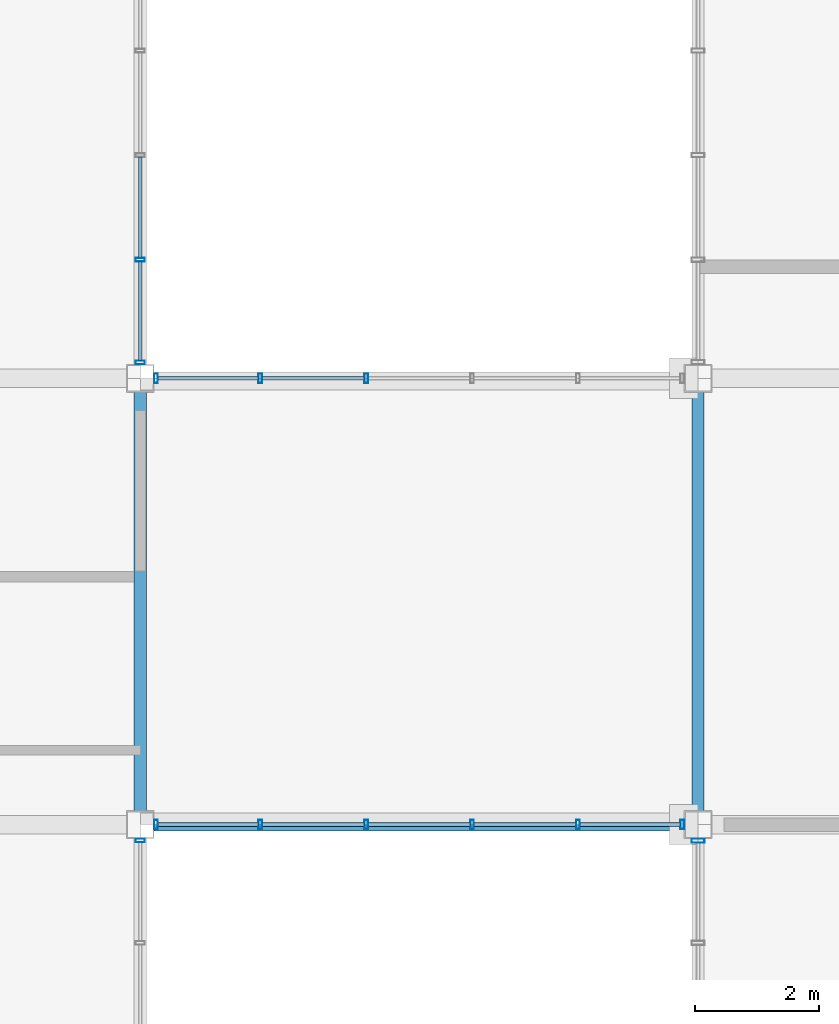
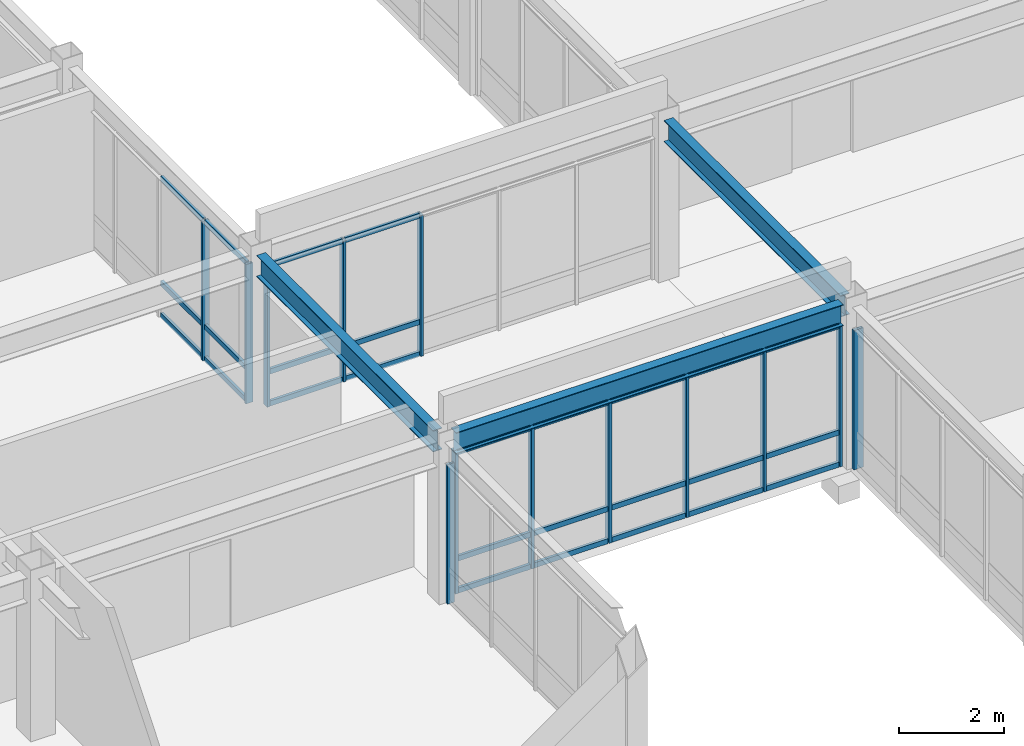
# One storey, part 59 of 122: 40 members, 3 beams, 5 elements without a shape of their own.
"""IFC4 building model written with IfcOpenShell, lengths in metres."""

from ifc_helpers import new_model, si_unit, direction, frame, origin, origin_2d, place, context, subcontext, project, spatial, hollow_rectangle, i_section, extrude, material, material_profile, profile_set, type_object, element, aggregate, save


model = new_model("IFC4")

# Units and contexts
model_context = context("Model", 3, precision=1e-05, world=origin(), true_north=direction((0.0, 1.0)))
body_context = subcontext(model_context, "Body", "Model", "MODEL_VIEW")
ifc_project = project(units=[si_unit("LENGTHUNIT", "METRE"), si_unit("AREAUNIT", "SQUARE_METRE"), si_unit("VOLUMEUNIT", "CUBIC_METRE"), si_unit("PLANEANGLEUNIT", "RADIAN"), si_unit("MASSUNIT", "GRAM", prefix="KILO")], contexts=[model_context])

# Site, building, storey
site_placement = place(None, origin())
site = spatial("IfcSite", under=ifc_project, at=site_placement, CompositionType="ELEMENT")
building_placement = place(site_placement, origin())
building = spatial("IfcBuilding", under=site, at=building_placement, Name="Kazanami Central Library", CompositionType="ELEMENT")
storey_placement = place(building_placement, frame((0.0, 0.0, 4.800048828125)))
storey = spatial("IfcBuildingStorey", under=building, at=storey_placement, Name="L02", CompositionType="ELEMENT", Elevation=4.800048828125)

# Beams
ifc_material_1 = material(Name="Steel SN490B (325 MPa)", Category="steel")
ifc_material_profile_1 = material_profile(ifc_material_1, i_section(OverallWidth=0.199951171875, OverallDepth=0.5, WebThickness=0.010009765625, FlangeThickness=0.01611328125, at=origin_2d()), Name="H-500x200x10x16")
ifc_profile_set_1 = profile_set([ifc_material_profile_1], Name="Steel SN490B (325 MPa)")
beam_type_1 = type_object("IfcBeamType", Name="BM-G-Y2", PredefinedType="BEAM", material=ifc_profile_set_1)
for number, where, z_axis, x_axis, name in (
    (1, (36.0, 65.02294921875, 3.5048828125), (0.0, 1.0, 0.0), (-1.0, 0.0, 0.0), "Girder G-Y2 L02 5/K-L"),
    (2, (45.0, 65.02294921875, 3.5048828125), (0.0, 1.0, 0.0), (-1.0, 0.0, 0.0), "Girder G-Y2 L02 6/K-L"),
):
    element("IfcBeam", number, at=place(storey_placement, frame(where, z_axis=z_axis, x_axis=x_axis)), inside=storey, type_object=beam_type_1, Name=name, PredefinedType="BEAM", context=body_context, shape_type="SweptSolid", body=[
        extrude(i_section(OverallWidth=0.199951171875, OverallDepth=0.5, WebThickness=0.010009765625, FlangeThickness=0.01611328125, at=origin_2d()), origin(), (0.0, 0.0, 1.0), 6.754150390625),
    ])
ifc_material_profile_2 = material_profile(ifc_material_1, i_section(OverallWidth=0.199951171875, OverallDepth=0.5, WebThickness=0.010009765625, FlangeThickness=0.01611328125, at=origin_2d()), Name="H-500x200x10x16")
ifc_profile_set_2 = profile_set([ifc_material_profile_2], Name="Steel SN490B (325 MPa)")
beam_type_2 = type_object("IfcBeamType", Name="BM-SP-1", PredefinedType="SPANDREL", material=ifc_profile_set_2)
beam_placement = place(storey_placement, frame((36.222900390625, 64.800048828125, 3.5400390625), z_axis=(1.0, 0.0, 0.0), x_axis=(0.0, 1.0, 0.0)))
element("IfcBeam", 3, at=beam_placement, inside=storey, type_object=beam_type_2, Name="Covered Link Bridge Girder SP-1 L02 K/5-6", PredefinedType="SPANDREL", context=body_context, shape_type="SweptSolid", body=[
    extrude(i_section(OverallWidth=0.199951171875, OverallDepth=0.5, WebThickness=0.010009765625, FlangeThickness=0.01611328125, at=origin_2d()), origin(), (0.0, 0.0, 1.0), 8.55419921875),
])

# Curtain wall, member
ifc_material_2 = material(Name="Acid-Etched Low-E Laminated Glass", Category="glass")
curtain_wall_type_1 = type_object("IfcCurtainWallType", Name="CW-6750x3255-M180", PredefinedType="USERDEFINED", material=ifc_material_2)
curtain_wall_1_placement = place(storey_placement, origin())
curtain_wall_1 = element("IfcCurtainWall", 4, at=curtain_wall_1_placement, inside=storey, type_object=curtain_wall_type_1, Name="Covered Link Bridge Curtain Wall CW-21 L02 W-6-08", ObjectType="UNITISED CURTAIN WALL", PredefinedType="USERDEFINED")
ifc_material_3 = material(Name="Anodised Aluminium A6063-T5", Category="aluminium")
ifc_material_profile_3 = material_profile(ifc_material_3, hollow_rectangle(XDim=0.070068359375, YDim=0.2099609375, WallThickness=0.0048828125, at=origin_2d()), Name="ALU-MULL-70x210x5")
ifc_profile_set_3 = profile_set([ifc_material_profile_3], Name="Anodised Aluminium A6063-T5")
member_type_1 = type_object("IfcMemberType", Name="MEM-CW-M1", PredefinedType="MULLION", material=ifc_profile_set_3)
member_1_placement = place(storey_placement, frame((45.0, 64.5400390625, 0.0), z_axis=(0.0, 0.0, 1.0), x_axis=(0.0, 1.0, 0.0)))
member_1 = element("IfcMember", 5, at=member_1_placement, type_object=member_type_1, Name="CW-21 mullion 5", PredefinedType="MULLION", context=body_context, shape_type="SweptSolid", body=[
    extrude(hollow_rectangle(XDim=0.070068359375, YDim=0.2099609375, WallThickness=0.0048828125, at=origin_2d()), origin(), (0.0, 0.0, 1.0), 3.2548828125),
])
aggregate(curtain_wall_1, [member_1])

# Curtain wall, members
curtain_wall_type_2 = type_object("IfcCurtainWallType", Name="CW-8550x3290-M180", PredefinedType="USERDEFINED", material=ifc_material_2)
curtain_wall_2_placement = place(storey_placement, origin())
curtain_wall_2 = element("IfcCurtainWall", 6, at=curtain_wall_2_placement, inside=storey, type_object=curtain_wall_type_2, Name="Covered Link Bridge Curtain Wall CW-12 L02 S-K-04", ObjectType="UNITISED CURTAIN WALL", PredefinedType="USERDEFINED")
ifc_material_profile_4 = material_profile(ifc_material_3, hollow_rectangle(XDim=0.06005859375, YDim=0.14990234375, WallThickness=0.00390625, at=origin_2d()), Name="ALU-MULL-60x150x4")
ifc_profile_set_4 = profile_set([ifc_material_profile_4], Name="Anodised Aluminium A6063-T5")
member_type_2 = type_object("IfcMemberType", Name="MEM-CW-M3", PredefinedType="MULLION", material=ifc_profile_set_4)
member_2_placement = place(storey_placement, frame((36.2548828125, 64.800048828125, 0.0), z_axis=(0.0, 0.0, 1.0), x_axis=(1.0, 0.0, 0.0)))
member_2 = element("IfcMember", 7, at=member_2_placement, type_object=member_type_2, Name="CW-12 mullion 1", PredefinedType="MULLION", context=body_context, shape_type="SweptSolid", body=[
    extrude(hollow_rectangle(XDim=0.06005859375, YDim=0.14990234375, WallThickness=0.00390625, at=origin_2d()), origin(), (0.0, 0.0, 1.0), 3.2900390625),
])
member_3_placement = place(storey_placement, frame((37.93505859375, 64.800048828125, 0.0), z_axis=(0.0, 0.0, 1.0), x_axis=(1.0, 0.0, 0.0)))
member_3 = element("IfcMember", 8, at=member_3_placement, type_object=member_type_2, Name="CW-12 mullion 2", PredefinedType="MULLION", context=body_context, shape_type="SweptSolid", body=[
    extrude(hollow_rectangle(XDim=0.06005859375, YDim=0.14990234375, WallThickness=0.00390625, at=origin_2d()), origin(), (0.0, 0.0, 1.0), 3.2900390625),
])
member_4_placement = place(storey_placement, frame((39.64501953125, 64.800048828125, 0.0), z_axis=(0.0, 0.0, 1.0), x_axis=(1.0, 0.0, 0.0)))
member_4 = element("IfcMember", 9, at=member_4_placement, type_object=member_type_2, Name="CW-12 mullion 3", PredefinedType="MULLION", context=body_context, shape_type="SweptSolid", body=[
    extrude(hollow_rectangle(XDim=0.06005859375, YDim=0.14990234375, WallThickness=0.00390625, at=origin_2d()), origin(), (0.0, 0.0, 1.0), 3.2900390625),
])
member_5_placement = place(storey_placement, frame((41.35498046875, 64.800048828125, 0.0), z_axis=(0.0, 0.0, 1.0), x_axis=(1.0, 0.0, 0.0)))
member_5 = element("IfcMember", 10, at=member_5_placement, type_object=member_type_2, Name="CW-12 mullion 4", PredefinedType="MULLION", context=body_context, shape_type="SweptSolid", body=[
    extrude(hollow_rectangle(XDim=0.06005859375, YDim=0.14990234375, WallThickness=0.00390625, at=origin_2d()), origin(), (0.0, 0.0, 1.0), 3.2900390625),
])
member_6_placement = place(storey_placement, frame((43.06494140625, 64.800048828125, 0.0), z_axis=(0.0, 0.0, 1.0), x_axis=(1.0, 0.0, 0.0)))
member_6 = element("IfcMember", 11, at=member_6_placement, type_object=member_type_2, Name="CW-12 mullion 5", PredefinedType="MULLION", context=body_context, shape_type="SweptSolid", body=[
    extrude(hollow_rectangle(XDim=0.06005859375, YDim=0.14990234375, WallThickness=0.00390625, at=origin_2d()), origin(), (0.0, 0.0, 1.0), 3.2900390625),
])
member_7_placement = place(storey_placement, frame((44.7451171875, 64.800048828125, 0.0), z_axis=(0.0, 0.0, 1.0), x_axis=(1.0, 0.0, 0.0)))
member_7 = element("IfcMember", 12, at=member_7_placement, type_object=member_type_2, Name="CW-12 mullion 6", PredefinedType="MULLION", context=body_context, shape_type="SweptSolid", body=[
    extrude(hollow_rectangle(XDim=0.06005859375, YDim=0.14990234375, WallThickness=0.00390625, at=origin_2d()), origin(), (0.0, 0.0, 1.0), 3.2900390625),
])

curtain_wall_3_placement = place(storey_placement, origin())
curtain_wall_3 = element("IfcCurtainWall", 13, at=curtain_wall_3_placement, inside=storey, type_object=curtain_wall_type_2, Name="Covered Link Bridge Curtain Wall CW-12 L02 N-L-04", ObjectType="UNITISED CURTAIN WALL", PredefinedType="USERDEFINED")
member_8_placement = place(storey_placement, frame((39.64501953125, 72.0, 0.0), z_axis=(0.0, 0.0, 1.0), x_axis=(-1.0, 0.0, 0.0)))
member_8 = element("IfcMember", 14, at=member_8_placement, type_object=member_type_2, Name="CW-12 mullion 4", PredefinedType="MULLION", context=body_context, shape_type="SweptSolid", body=[
    extrude(hollow_rectangle(XDim=0.06005859375, YDim=0.14990234375, WallThickness=0.00390625, at=origin_2d()), origin(), (0.0, 0.0, 1.0), 3.2900390625),
])
member_9_placement = place(storey_placement, frame((37.93505859375, 72.0, 0.0), z_axis=(0.0, 0.0, 1.0), x_axis=(-1.0, 0.0, 0.0)))
member_9 = element("IfcMember", 15, at=member_9_placement, type_object=member_type_2, Name="CW-12 mullion 5", PredefinedType="MULLION", context=body_context, shape_type="SweptSolid", body=[
    extrude(hollow_rectangle(XDim=0.06005859375, YDim=0.14990234375, WallThickness=0.00390625, at=origin_2d()), origin(), (0.0, 0.0, 1.0), 3.2900390625),
])
member_10_placement = place(storey_placement, frame((36.2548828125, 72.0, 0.0), z_axis=(0.0, 0.0, 1.0), x_axis=(-1.0, 0.0, 0.0)))
member_10 = element("IfcMember", 16, at=member_10_placement, type_object=member_type_2, Name="CW-12 mullion 6", PredefinedType="MULLION", context=body_context, shape_type="SweptSolid", body=[
    extrude(hollow_rectangle(XDim=0.06005859375, YDim=0.14990234375, WallThickness=0.00390625, at=origin_2d()), origin(), (0.0, 0.0, 1.0), 3.2900390625),
])

# Curtain wall, member
curtain_wall_4_placement = place(storey_placement, origin())
curtain_wall_4 = element("IfcCurtainWall", 17, at=curtain_wall_4_placement, inside=storey, type_object=curtain_wall_type_1, Name="Covered Link Bridge Curtain Wall CW-21 L02 E-5-08", ObjectType="UNITISED CURTAIN WALL", PredefinedType="USERDEFINED")
member_11_placement = place(storey_placement, frame((36.0, 64.544921875, 0.0), z_axis=(0.0, 0.0, 1.0), x_axis=(0.0, -1.0, 0.0)))
member_11 = element("IfcMember", 18, at=member_11_placement, type_object=member_type_2, Name="CW-21 mullion 1", PredefinedType="MULLION", context=body_context, shape_type="SweptSolid", body=[
    extrude(hollow_rectangle(XDim=0.06005859375, YDim=0.14990234375, WallThickness=0.00390625, at=origin_2d()), origin(), (0.0, 0.0, 1.0), 3.2548828125),
])
aggregate(curtain_wall_4, [member_11])

# Curtain wall, members
curtain_wall_5_placement = place(storey_placement, origin())
curtain_wall_5 = element("IfcCurtainWall", 19, at=curtain_wall_5_placement, inside=storey, type_object=curtain_wall_type_1, Name="Covered Link Bridge Curtain Wall CW-21 L02 E-5-10", ObjectType="UNITISED CURTAIN WALL", PredefinedType="USERDEFINED")
member_12_placement = place(storey_placement, frame((36.0, 73.91259765625, 0.0), z_axis=(0.0, 0.0, 1.0), x_axis=(0.0, -1.0, 0.0)))
member_12 = element("IfcMember", 20, at=member_12_placement, type_object=member_type_2, Name="CW-21 mullion 4", PredefinedType="MULLION", context=body_context, shape_type="SweptSolid", body=[
    extrude(hollow_rectangle(XDim=0.06005859375, YDim=0.14990234375, WallThickness=0.00390625, at=origin_2d()), origin(), (0.0, 0.0, 1.0), 3.2548828125),
])
member_13_placement = place(storey_placement, frame((36.0, 72.2548828125, 0.0), z_axis=(0.0, 0.0, 1.0), x_axis=(0.0, -1.0, 0.0)))
member_13 = element("IfcMember", 21, at=member_13_placement, type_object=member_type_2, Name="CW-21 mullion 5", PredefinedType="MULLION", context=body_context, shape_type="SweptSolid", body=[
    extrude(hollow_rectangle(XDim=0.06005859375, YDim=0.14990234375, WallThickness=0.00390625, at=origin_2d()), origin(), (0.0, 0.0, 1.0), 3.2548828125),
])

# Member
ifc_material_profile_5 = material_profile(ifc_material_3, hollow_rectangle(XDim=0.06005859375, YDim=0.1201171875, WallThickness=0.00341796875, at=origin_2d()), Name="ALU-TRAN-60x120x3.5")
ifc_profile_set_5 = profile_set([ifc_material_profile_5], Name="Anodised Aluminium A6063-T5")
member_type_3 = type_object("IfcMemberType", Name="MEM-CW-T3", PredefinedType="USERDEFINED", material=ifc_profile_set_5)
member_14_placement = place(storey_placement, frame((36.284912109375, 64.800048828125, 0.030029296875), z_axis=(1.0, 0.0, 0.0), x_axis=(0.0, 1.0, 0.0)))
member_14 = element("IfcMember", 22, at=member_14_placement, type_object=member_type_3, Name="CW-12 transom 1.1", ObjectType="TRANSOM", PredefinedType="USERDEFINED", context=body_context, shape_type="SweptSolid", body=[
    extrude(hollow_rectangle(XDim=0.06005859375, YDim=0.1201171875, WallThickness=0.00341796875, at=origin_2d()), origin(), (0.0, 0.0, 1.0), 1.6201171875),
])

member_15_placement = place(storey_placement, frame((36.284912109375, 64.800048828125, 0.780029296875), z_axis=(1.0, 0.0, 0.0), x_axis=(0.0, 1.0, 0.0)))
member_15 = element("IfcMember", 23, at=member_15_placement, type_object=member_type_3, Name="CW-12 transom 1.2", ObjectType="TRANSOM", PredefinedType="USERDEFINED", context=body_context, shape_type="SweptSolid", body=[
    extrude(hollow_rectangle(XDim=0.06005859375, YDim=0.1201171875, WallThickness=0.00341796875, at=origin_2d()), origin(), (0.0, 0.0, 1.0), 1.6201171875),
])

member_16_placement = place(storey_placement, frame((36.284912109375, 64.800048828125, 3.260009765625), z_axis=(1.0, 0.0, 0.0), x_axis=(0.0, 1.0, 0.0)))
member_16 = element("IfcMember", 24, at=member_16_placement, type_object=member_type_3, Name="CW-12 transom 1.3", ObjectType="TRANSOM", PredefinedType="USERDEFINED", context=body_context, shape_type="SweptSolid", body=[
    extrude(hollow_rectangle(XDim=0.06005859375, YDim=0.1201171875, WallThickness=0.00341796875, at=origin_2d()), origin(), (0.0, 0.0, 1.0), 1.6201171875),
])

member_17_placement = place(storey_placement, frame((37.965087890625, 64.800048828125, 0.030029296875), z_axis=(1.0, 0.0, 0.0), x_axis=(0.0, 1.0, 0.0)))
member_17 = element("IfcMember", 25, at=member_17_placement, type_object=member_type_3, Name="CW-12 transom 2.1", ObjectType="TRANSOM", PredefinedType="USERDEFINED", context=body_context, shape_type="SweptSolid", body=[
    extrude(hollow_rectangle(XDim=0.06005859375, YDim=0.1201171875, WallThickness=0.00341796875, at=origin_2d()), origin(), (0.0, 0.0, 1.0), 1.64990234375),
])

member_18_placement = place(storey_placement, frame((37.965087890625, 64.800048828125, 0.780029296875), z_axis=(1.0, 0.0, 0.0), x_axis=(0.0, 1.0, 0.0)))
member_18 = element("IfcMember", 26, at=member_18_placement, type_object=member_type_3, Name="CW-12 transom 2.2", ObjectType="TRANSOM", PredefinedType="USERDEFINED", context=body_context, shape_type="SweptSolid", body=[
    extrude(hollow_rectangle(XDim=0.06005859375, YDim=0.1201171875, WallThickness=0.00341796875, at=origin_2d()), origin(), (0.0, 0.0, 1.0), 1.64990234375),
])

member_19_placement = place(storey_placement, frame((37.965087890625, 64.800048828125, 3.260009765625), z_axis=(1.0, 0.0, 0.0), x_axis=(0.0, 1.0, 0.0)))
member_19 = element("IfcMember", 27, at=member_19_placement, type_object=member_type_3, Name="CW-12 transom 2.3", ObjectType="TRANSOM", PredefinedType="USERDEFINED", context=body_context, shape_type="SweptSolid", body=[
    extrude(hollow_rectangle(XDim=0.06005859375, YDim=0.1201171875, WallThickness=0.00341796875, at=origin_2d()), origin(), (0.0, 0.0, 1.0), 1.64990234375),
])

member_20_placement = place(storey_placement, frame((39.675048828125, 64.800048828125, 0.030029296875), z_axis=(1.0, 0.0, 0.0), x_axis=(0.0, 1.0, 0.0)))
member_20 = element("IfcMember", 28, at=member_20_placement, type_object=member_type_3, Name="CW-12 transom 3.1", ObjectType="TRANSOM", PredefinedType="USERDEFINED", context=body_context, shape_type="SweptSolid", body=[
    extrude(hollow_rectangle(XDim=0.06005859375, YDim=0.1201171875, WallThickness=0.00341796875, at=origin_2d()), origin(), (0.0, 0.0, 1.0), 1.64990234375),
])

member_21_placement = place(storey_placement, frame((39.675048828125, 64.800048828125, 0.780029296875), z_axis=(1.0, 0.0, 0.0), x_axis=(0.0, 1.0, 0.0)))
member_21 = element("IfcMember", 29, at=member_21_placement, type_object=member_type_3, Name="CW-12 transom 3.2", ObjectType="TRANSOM", PredefinedType="USERDEFINED", context=body_context, shape_type="SweptSolid", body=[
    extrude(hollow_rectangle(XDim=0.06005859375, YDim=0.1201171875, WallThickness=0.00341796875, at=origin_2d()), origin(), (0.0, 0.0, 1.0), 1.64990234375),
])

member_22_placement = place(storey_placement, frame((39.675048828125, 64.800048828125, 3.260009765625), z_axis=(1.0, 0.0, 0.0), x_axis=(0.0, 1.0, 0.0)))
member_22 = element("IfcMember", 30, at=member_22_placement, type_object=member_type_3, Name="CW-12 transom 3.3", ObjectType="TRANSOM", PredefinedType="USERDEFINED", context=body_context, shape_type="SweptSolid", body=[
    extrude(hollow_rectangle(XDim=0.06005859375, YDim=0.1201171875, WallThickness=0.00341796875, at=origin_2d()), origin(), (0.0, 0.0, 1.0), 1.64990234375),
])

member_23_placement = place(storey_placement, frame((41.385009765625, 64.800048828125, 0.030029296875), z_axis=(1.0, 0.0, 0.0), x_axis=(0.0, 1.0, 0.0)))
member_23 = element("IfcMember", 31, at=member_23_placement, type_object=member_type_3, Name="CW-12 transom 4.1", ObjectType="TRANSOM", PredefinedType="USERDEFINED", context=body_context, shape_type="SweptSolid", body=[
    extrude(hollow_rectangle(XDim=0.06005859375, YDim=0.1201171875, WallThickness=0.00341796875, at=origin_2d()), origin(), (0.0, 0.0, 1.0), 1.64990234375),
])

member_24_placement = place(storey_placement, frame((41.385009765625, 64.800048828125, 0.780029296875), z_axis=(1.0, 0.0, 0.0), x_axis=(0.0, 1.0, 0.0)))
member_24 = element("IfcMember", 32, at=member_24_placement, type_object=member_type_3, Name="CW-12 transom 4.2", ObjectType="TRANSOM", PredefinedType="USERDEFINED", context=body_context, shape_type="SweptSolid", body=[
    extrude(hollow_rectangle(XDim=0.06005859375, YDim=0.1201171875, WallThickness=0.00341796875, at=origin_2d()), origin(), (0.0, 0.0, 1.0), 1.64990234375),
])

member_25_placement = place(storey_placement, frame((41.385009765625, 64.800048828125, 3.260009765625), z_axis=(1.0, 0.0, 0.0), x_axis=(0.0, 1.0, 0.0)))
member_25 = element("IfcMember", 33, at=member_25_placement, type_object=member_type_3, Name="CW-12 transom 4.3", ObjectType="TRANSOM", PredefinedType="USERDEFINED", context=body_context, shape_type="SweptSolid", body=[
    extrude(hollow_rectangle(XDim=0.06005859375, YDim=0.1201171875, WallThickness=0.00341796875, at=origin_2d()), origin(), (0.0, 0.0, 1.0), 1.64990234375),
])

member_26_placement = place(storey_placement, frame((43.094970703125, 64.800048828125, 0.030029296875), z_axis=(1.0, 0.0, 0.0), x_axis=(0.0, 1.0, 0.0)))
member_26 = element("IfcMember", 34, at=member_26_placement, type_object=member_type_3, Name="CW-12 transom 5.1", ObjectType="TRANSOM", PredefinedType="USERDEFINED", context=body_context, shape_type="SweptSolid", body=[
    extrude(hollow_rectangle(XDim=0.06005859375, YDim=0.1201171875, WallThickness=0.00341796875, at=origin_2d()), origin(), (0.0, 0.0, 1.0), 1.6201171875),
])

member_27_placement = place(storey_placement, frame((43.094970703125, 64.800048828125, 0.780029296875), z_axis=(1.0, 0.0, 0.0), x_axis=(0.0, 1.0, 0.0)))
member_27 = element("IfcMember", 35, at=member_27_placement, type_object=member_type_3, Name="CW-12 transom 5.2", ObjectType="TRANSOM", PredefinedType="USERDEFINED", context=body_context, shape_type="SweptSolid", body=[
    extrude(hollow_rectangle(XDim=0.06005859375, YDim=0.1201171875, WallThickness=0.00341796875, at=origin_2d()), origin(), (0.0, 0.0, 1.0), 1.6201171875),
])

member_28_placement = place(storey_placement, frame((43.094970703125, 64.800048828125, 3.260009765625), z_axis=(1.0, 0.0, 0.0), x_axis=(0.0, 1.0, 0.0)))
member_28 = element("IfcMember", 36, at=member_28_placement, type_object=member_type_3, Name="CW-12 transom 5.3", ObjectType="TRANSOM", PredefinedType="USERDEFINED", context=body_context, shape_type="SweptSolid", body=[
    extrude(hollow_rectangle(XDim=0.06005859375, YDim=0.1201171875, WallThickness=0.00341796875, at=origin_2d()), origin(), (0.0, 0.0, 1.0), 1.6201171875),
])

aggregate(curtain_wall_2, [member_2, member_3, member_4, member_5, member_6, member_7, member_14, member_15, member_16, member_17, member_18, member_19, member_20, member_21, member_22, member_23, member_24, member_25, member_26, member_27, member_28])

member_29_placement = place(storey_placement, frame((39.614990234375, 72.0, 0.030029296875), z_axis=(-1.0, 0.0, 0.0), x_axis=(0.0, -1.0, 0.0)))
member_29 = element("IfcMember", 37, at=member_29_placement, type_object=member_type_3, Name="CW-12 transom 4.1", ObjectType="TRANSOM", PredefinedType="USERDEFINED", context=body_context, shape_type="SweptSolid", body=[
    extrude(hollow_rectangle(XDim=0.06005859375, YDim=0.1201171875, WallThickness=0.00341796875, at=origin_2d()), origin(), (0.0, 0.0, 1.0), 1.64990234375),
])

member_30_placement = place(storey_placement, frame((39.614990234375, 72.0, 0.780029296875), z_axis=(-1.0, 0.0, 0.0), x_axis=(0.0, -1.0, 0.0)))
member_30 = element("IfcMember", 38, at=member_30_placement, type_object=member_type_3, Name="CW-12 transom 4.2", ObjectType="TRANSOM", PredefinedType="USERDEFINED", context=body_context, shape_type="SweptSolid", body=[
    extrude(hollow_rectangle(XDim=0.06005859375, YDim=0.1201171875, WallThickness=0.00341796875, at=origin_2d()), origin(), (0.0, 0.0, 1.0), 1.64990234375),
])

member_31_placement = place(storey_placement, frame((39.614990234375, 72.0, 3.260009765625), z_axis=(-1.0, 0.0, 0.0), x_axis=(0.0, -1.0, 0.0)))
member_31 = element("IfcMember", 39, at=member_31_placement, type_object=member_type_3, Name="CW-12 transom 4.3", ObjectType="TRANSOM", PredefinedType="USERDEFINED", context=body_context, shape_type="SweptSolid", body=[
    extrude(hollow_rectangle(XDim=0.06005859375, YDim=0.1201171875, WallThickness=0.00341796875, at=origin_2d()), origin(), (0.0, 0.0, 1.0), 1.64990234375),
])

member_32_placement = place(storey_placement, frame((37.905029296875, 72.0, 0.030029296875), z_axis=(-1.0, 0.0, 0.0), x_axis=(0.0, -1.0, 0.0)))
member_32 = element("IfcMember", 40, at=member_32_placement, type_object=member_type_3, Name="CW-12 transom 5.1", ObjectType="TRANSOM", PredefinedType="USERDEFINED", context=body_context, shape_type="SweptSolid", body=[
    extrude(hollow_rectangle(XDim=0.06005859375, YDim=0.1201171875, WallThickness=0.00341796875, at=origin_2d()), origin(), (0.0, 0.0, 1.0), 1.6201171875),
])

member_33_placement = place(storey_placement, frame((37.905029296875, 72.0, 0.780029296875), z_axis=(-1.0, 0.0, 0.0), x_axis=(0.0, -1.0, 0.0)))
member_33 = element("IfcMember", 41, at=member_33_placement, type_object=member_type_3, Name="CW-12 transom 5.2", ObjectType="TRANSOM", PredefinedType="USERDEFINED", context=body_context, shape_type="SweptSolid", body=[
    extrude(hollow_rectangle(XDim=0.06005859375, YDim=0.1201171875, WallThickness=0.00341796875, at=origin_2d()), origin(), (0.0, 0.0, 1.0), 1.6201171875),
])

member_34_placement = place(storey_placement, frame((37.905029296875, 72.0, 3.260009765625), z_axis=(-1.0, 0.0, 0.0), x_axis=(0.0, -1.0, 0.0)))
member_34 = element("IfcMember", 42, at=member_34_placement, type_object=member_type_3, Name="CW-12 transom 5.3", ObjectType="TRANSOM", PredefinedType="USERDEFINED", context=body_context, shape_type="SweptSolid", body=[
    extrude(hollow_rectangle(XDim=0.06005859375, YDim=0.1201171875, WallThickness=0.00341796875, at=origin_2d()), origin(), (0.0, 0.0, 1.0), 1.6201171875),
])

aggregate(curtain_wall_3, [member_8, member_9, member_10, member_29, member_30, member_31, member_32, member_33, member_34])

member_35_placement = place(storey_placement, frame((36.0, 75.570068359375, 0.030029296875), z_axis=(0.0, -1.0, 0.0), x_axis=(1.0, 0.0, 0.0)))
member_35 = element("IfcMember", 43, at=member_35_placement, type_object=member_type_3, Name="CW-21 transom 3.1", ObjectType="TRANSOM", PredefinedType="USERDEFINED", context=body_context, shape_type="SweptSolid", body=[
    extrude(hollow_rectangle(XDim=0.06005859375, YDim=0.1201171875, WallThickness=0.00341796875, at=origin_2d()), origin(), (0.0, 0.0, 1.0), 1.627685546875),
])

member_36_placement = place(storey_placement, frame((36.0, 75.570068359375, 0.780029296875), z_axis=(0.0, -1.0, 0.0), x_axis=(1.0, 0.0, 0.0)))
member_36 = element("IfcMember", 44, at=member_36_placement, type_object=member_type_3, Name="CW-21 transom 3.2", ObjectType="TRANSOM", PredefinedType="USERDEFINED", context=body_context, shape_type="SweptSolid", body=[
    extrude(hollow_rectangle(XDim=0.06005859375, YDim=0.1201171875, WallThickness=0.00341796875, at=origin_2d()), origin(), (0.0, 0.0, 1.0), 1.627685546875),
])

member_37_placement = place(storey_placement, frame((36.0, 75.570068359375, 3.224853515625), z_axis=(0.0, -1.0, 0.0), x_axis=(1.0, 0.0, 0.0)))
member_37 = element("IfcMember", 45, at=member_37_placement, type_object=member_type_3, Name="CW-21 transom 3.3", ObjectType="TRANSOM", PredefinedType="USERDEFINED", context=body_context, shape_type="SweptSolid", body=[
    extrude(hollow_rectangle(XDim=0.06005859375, YDim=0.1201171875, WallThickness=0.00341796875, at=origin_2d()), origin(), (0.0, 0.0, 1.0), 1.627685546875),
])

member_38_placement = place(storey_placement, frame((36.0, 73.882568359375, 0.030029296875), z_axis=(0.0, -1.0, 0.0), x_axis=(1.0, 0.0, 0.0)))
member_38 = element("IfcMember", 46, at=member_38_placement, type_object=member_type_3, Name="CW-21 transom 4.1", ObjectType="TRANSOM", PredefinedType="USERDEFINED", context=body_context, shape_type="SweptSolid", body=[
    extrude(hollow_rectangle(XDim=0.06005859375, YDim=0.1201171875, WallThickness=0.00341796875, at=origin_2d()), origin(), (0.0, 0.0, 1.0), 1.59765625),
])

member_39_placement = place(storey_placement, frame((36.0, 73.882568359375, 0.780029296875), z_axis=(0.0, -1.0, 0.0), x_axis=(1.0, 0.0, 0.0)))
member_39 = element("IfcMember", 47, at=member_39_placement, type_object=member_type_3, Name="CW-21 transom 4.2", ObjectType="TRANSOM", PredefinedType="USERDEFINED", context=body_context, shape_type="SweptSolid", body=[
    extrude(hollow_rectangle(XDim=0.06005859375, YDim=0.1201171875, WallThickness=0.00341796875, at=origin_2d()), origin(), (0.0, 0.0, 1.0), 1.59765625),
])

member_40_placement = place(storey_placement, frame((36.0, 73.882568359375, 3.224853515625), z_axis=(0.0, -1.0, 0.0), x_axis=(1.0, 0.0, 0.0)))
member_40 = element("IfcMember", 48, at=member_40_placement, type_object=member_type_3, Name="CW-21 transom 4.3", ObjectType="TRANSOM", PredefinedType="USERDEFINED", context=body_context, shape_type="SweptSolid", body=[
    extrude(hollow_rectangle(XDim=0.06005859375, YDim=0.1201171875, WallThickness=0.00341796875, at=origin_2d()), origin(), (0.0, 0.0, 1.0), 1.59765625),
])

aggregate(curtain_wall_5, [member_12, member_13, member_35, member_36, member_37, member_38, member_39, member_40])

save(model, "model.ifc")
